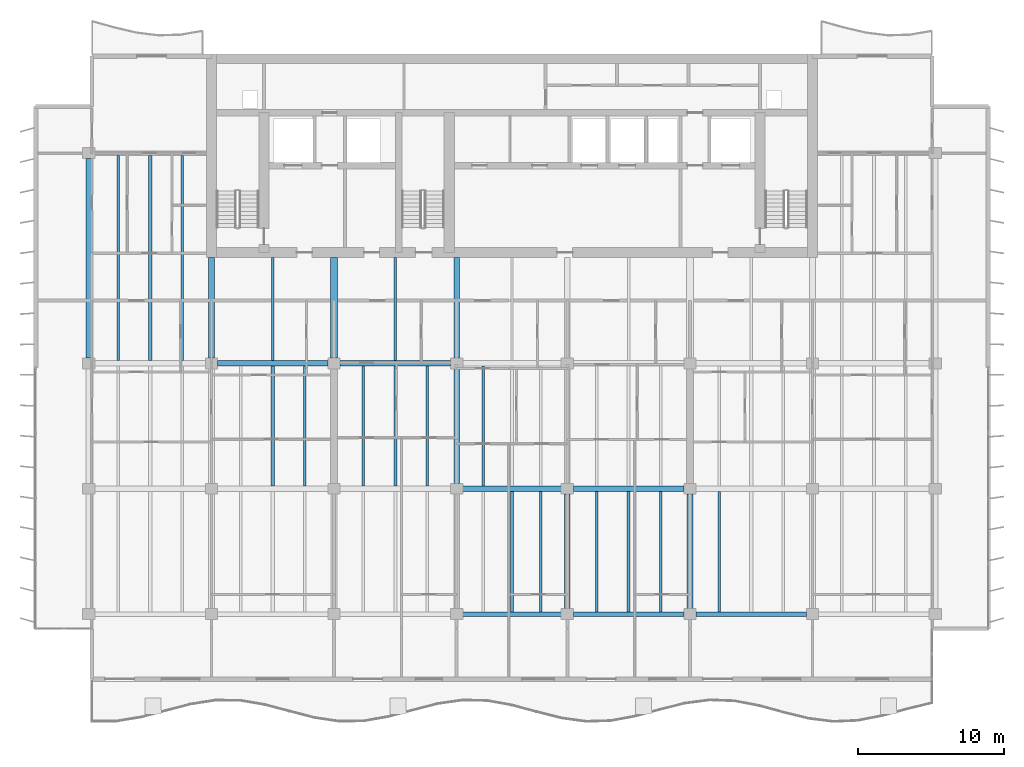
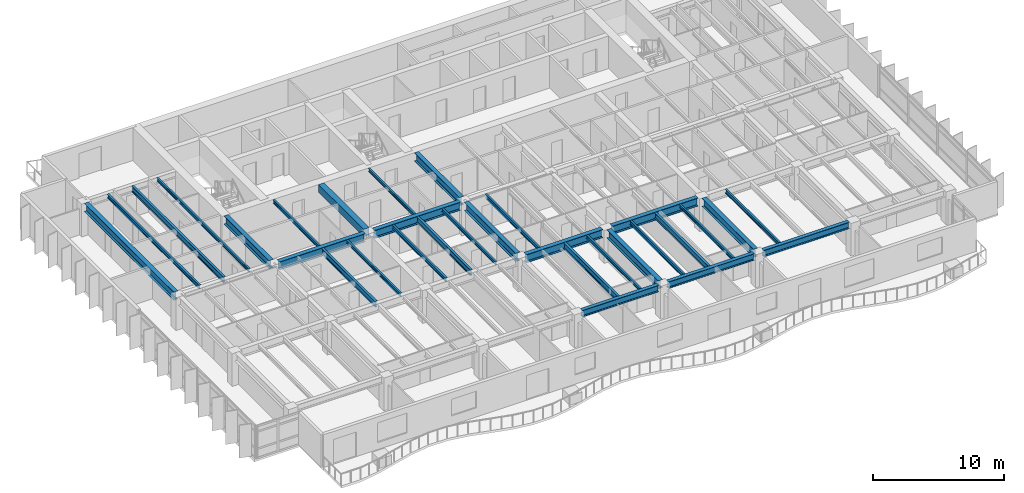
# One storey, part 3 of 19: 31 beams.
"""IFC4 building model written with IfcOpenShell, lengths in metres."""

from ifc_helpers import new_model, si_unit, direction, frame, origin, origin_2d, place, context, subcontext, project, spatial, rectangle, i_section, extrude, material, material_profile, profile_set, type_object, element, save


model = new_model("IFC4")

# Units and contexts
model_context = context("Model", 3, precision=1e-05, world=origin(), true_north=direction((0.0, 1.0)))
body_context = subcontext(model_context, "Body", "Model", "MODEL_VIEW")
ifc_project = project(units=[si_unit("LENGTHUNIT", "METRE"), si_unit("AREAUNIT", "SQUARE_METRE"), si_unit("VOLUMEUNIT", "CUBIC_METRE"), si_unit("PLANEANGLEUNIT", "RADIAN"), si_unit("MASSUNIT", "GRAM", prefix="KILO")], contexts=[model_context])

# Site, building, storey
site_placement = place(None, origin())
site = spatial("IfcSite", under=ifc_project, at=site_placement, CompositionType="ELEMENT")
building_placement = place(site_placement, origin())
building = spatial("IfcBuilding", under=site, at=building_placement, Name="Caelmar Bay Residences", CompositionType="ELEMENT")
storey_placement = place(building_placement, frame((0.0, 0.0, 163.800048828125)))
storey = spatial("IfcBuildingStorey", under=building, at=storey_placement, Name="L45", CompositionType="ELEMENT", Elevation=163.800048828125)

# Beams
ifc_material_1 = material(Name="Steel ASTM A992 Grade 50", Category="steel")
ifc_material_profile_1 = material_profile(ifc_material_1, i_section(OverallWidth=0.381103515625, OverallDepth=0.77197265625, WebThickness=0.0166015625, FlangeThickness=0.027099609375, FilletRadius=0.0166015625, at=origin_2d()), Name="W30X173")
ifc_profile_set_1 = profile_set([ifc_material_profile_1], Name="Steel ASTM A992 Grade 50")
beam_type_1 = type_object("IfcBeamType", Name="BM-GRD-W30X173", PredefinedType="BEAM", material=ifc_profile_set_1)
beam_1_placement = place(storey_placement, frame((35.514892578125, 20.800048828125, 2.6640625), z_axis=(1.0, 0.0, 0.0), x_axis=(0.0, 1.0, 0.0)))
element("IfcBeam", 1, at=beam_1_placement, inside=storey, type_object=beam_type_1, Name="L45 East-West Girder Y=20.80 (35.1-42.7)", PredefinedType="BEAM", context=body_context, shape_type="SweptSolid", body=[
    extrude(i_section(OverallWidth=0.381103515625, OverallDepth=0.77197265625, WebThickness=0.0166015625, FlangeThickness=0.027099609375, FilletRadius=0.0166015625, at=origin_2d()), origin(), (0.0, 0.0, 1.0), 6.77001953125),
])
beam_2_placement = place(storey_placement, frame((43.114990234375, 20.800048828125, 2.6640625), z_axis=(1.0, 0.0, 0.0), x_axis=(0.0, 1.0, 0.0)))
element("IfcBeam", 2, at=beam_2_placement, inside=storey, type_object=beam_type_1, Name="L45 East-West Girder Y=20.80 (42.7-51.1)", PredefinedType="BEAM", context=body_context, shape_type="SweptSolid", body=[
    extrude(i_section(OverallWidth=0.381103515625, OverallDepth=0.77197265625, WebThickness=0.0166015625, FlangeThickness=0.027099609375, FilletRadius=0.0166015625, at=origin_2d()), origin(), (0.0, 0.0, 1.0), 7.570068359375),
])
beam_3_placement = place(storey_placement, frame((18.715087890625, 29.39990234375, 2.6640625), z_axis=(1.0, 0.0, 0.0), x_axis=(0.0, 1.0, 0.0)))
element("IfcBeam", 3, at=beam_3_placement, inside=storey, type_object=beam_type_1, Name="L45 East-West Girder Y=29.40 (18.3-26.7)", PredefinedType="BEAM", context=body_context, shape_type="SweptSolid", body=[
    extrude(i_section(OverallWidth=0.381103515625, OverallDepth=0.77197265625, WebThickness=0.0166015625, FlangeThickness=0.027099609375, FilletRadius=0.0166015625, at=origin_2d()), origin(), (0.0, 0.0, 1.0), 7.56982421875),
])
beam_4_placement = place(storey_placement, frame((27.114990234375, 29.39990234375, 2.6640625), z_axis=(1.0, 0.0, 0.0), x_axis=(0.0, 1.0, 0.0)))
element("IfcBeam", 4, at=beam_4_placement, inside=storey, type_object=beam_type_1, Name="L45 East-West Girder Y=29.40 (26.7-35.1)", PredefinedType="BEAM", context=body_context, shape_type="SweptSolid", body=[
    extrude(i_section(OverallWidth=0.381103515625, OverallDepth=0.77197265625, WebThickness=0.0166015625, FlangeThickness=0.027099609375, FilletRadius=0.0166015625, at=origin_2d()), origin(), (0.0, 0.0, 1.0), 7.570068359375),
])
beam_5_placement = place(storey_placement, frame((9.89990234375, 29.764892578125, 2.6640625), z_axis=(0.0, 1.0, 0.0), x_axis=(-1.0, 0.0, 0.0)))
element("IfcBeam", 5, at=beam_5_placement, inside=storey, type_object=beam_type_1, Name="L45 North-South Girder X=9.90 (29.4-43.8)", PredefinedType="BEAM", context=body_context, shape_type="SweptSolid", body=[
    extrude(i_section(OverallWidth=0.381103515625, OverallDepth=0.77197265625, WebThickness=0.0166015625, FlangeThickness=0.027099609375, FilletRadius=0.0166015625, at=origin_2d()), origin(), (0.0, 0.0, 1.0), 13.670166015625),
])
for number, where, z_axis, x_axis, name in (
    (6, (18.300048828125, 29.764892578125, 2.6640625), (0.0, 1.0, 0.0), (-1.0, 0.0, 0.0), "L45 Core Tie Girder X=18.30"),
    (7, (35.10009765625, 29.764892578125, 2.6640625), (0.0, 1.0, 0.0), (-1.0, 0.0, 0.0), "L45 Core Tie Girder X=35.10"),
):
    element("IfcBeam", number, at=place(storey_placement, frame(where, z_axis=z_axis, x_axis=x_axis)), inside=storey, type_object=beam_type_1, Name=name, PredefinedType="BEAM", context=body_context, shape_type="SweptSolid", body=[
        extrude(i_section(OverallWidth=0.381103515625, OverallDepth=0.77197265625, WebThickness=0.0166015625, FlangeThickness=0.027099609375, FilletRadius=0.0166015625, at=origin_2d()), origin(), (0.0, 0.0, 1.0), 6.885009765625),
    ])
beam_6_placement = place(storey_placement, frame((35.10009765625, 21.1650390625, 2.6640625), z_axis=(0.0, 1.0, 0.0), x_axis=(-1.0, 0.0, 0.0)))
element("IfcBeam", 8, at=beam_6_placement, inside=storey, type_object=beam_type_1, Name="L45 North-South Girder X=35.10 (20.8-29.4)", PredefinedType="BEAM", context=body_context, shape_type="SweptSolid", body=[
    extrude(i_section(OverallWidth=0.381103515625, OverallDepth=0.77197265625, WebThickness=0.0166015625, FlangeThickness=0.027099609375, FilletRadius=0.0166015625, at=origin_2d()), origin(), (0.0, 0.0, 1.0), 7.869873046875),
])
for number, where, z_axis, x_axis, name in (
    (9, (42.699951171875, 12.56494140625, 2.6640625), (0.0, 1.0, 0.0), (-1.0, 0.0, 0.0), "L45 North-South Girder X=42.70 (12.2-20.8)"),
    (10, (51.10009765625, 12.56494140625, 2.6640625), (0.0, 1.0, 0.0), (-1.0, 0.0, 0.0), "L45 North-South Girder X=51.10 (12.2-20.8)"),
):
    element("IfcBeam", number, at=place(storey_placement, frame(where, z_axis=z_axis, x_axis=x_axis)), inside=storey, type_object=beam_type_1, Name=name, PredefinedType="BEAM", context=body_context, shape_type="SweptSolid", body=[
        extrude(i_section(OverallWidth=0.381103515625, OverallDepth=0.77197265625, WebThickness=0.0166015625, FlangeThickness=0.027099609375, FilletRadius=0.0166015625, at=origin_2d()), origin(), (0.0, 0.0, 1.0), 7.8701171875),
    ])
ifc_material_profile_2 = material_profile(ifc_material_1, i_section(OverallWidth=0.1650390625, OverallDepth=0.31005859375, WebThickness=0.005859375, FlangeThickness=0.009765625, FilletRadius=0.007568359375, at=origin_2d()), Name="W12X26")
ifc_profile_set_2 = profile_set([ifc_material_profile_2], Name="Steel ASTM A992 Grade 50")
beam_type_2 = type_object("IfcBeamType", Name="BM-JST-W12X26", PredefinedType="JOIST", material=ifc_profile_set_2)
for number, where, z_axis, x_axis, name in (
    (11, (40.8759765625, 12.362548828125, 2.89501953125), (0.0, 1.0, 0.0), (-1.0, 0.0, 0.0), "L45 Composite Floor Joist 12"),
    (12, (49.083984375, 12.362548828125, 2.89501953125), (0.0, 1.0, 0.0), (-1.0, 0.0, 0.0), "L45 Composite Floor Joist 15"),
):
    element("IfcBeam", number, at=place(storey_placement, frame(where, z_axis=z_axis, x_axis=x_axis)), inside=storey, type_object=beam_type_2, Name=name, PredefinedType="JOIST", context=body_context, shape_type="SweptSolid", body=[
        extrude(i_section(OverallWidth=0.1650390625, OverallDepth=0.31005859375, WebThickness=0.005859375, FlangeThickness=0.009765625, FilletRadius=0.007568359375, at=origin_2d()), origin(), (0.0, 0.0, 1.0), 8.2470703125),
    ])
for number, where, z_axis, x_axis, name in (
    (13, (24.68408203125, 20.990478515625, 2.89501953125), (0.0, 1.0, 0.0), (-1.0, 0.0, 0.0), "L45 Composite Floor Joist 27"),
    (14, (33.083984375, 20.990478515625, 2.89501953125), (0.0, 1.0, 0.0), (-1.0, 0.0, 0.0), "L45 Composite Floor Joist 30"),
):
    element("IfcBeam", number, at=place(storey_placement, frame(where, z_axis=z_axis, x_axis=x_axis)), inside=storey, type_object=beam_type_2, Name=name, PredefinedType="JOIST", context=body_context, shape_type="SweptSolid", body=[
        extrude(i_section(OverallWidth=0.1650390625, OverallDepth=0.31005859375, WebThickness=0.005859375, FlangeThickness=0.009765625, FilletRadius=0.007568359375, at=origin_2d()), origin(), (0.0, 0.0, 1.0), 8.218994140625),
    ])
for number, where, z_axis, x_axis, name in (
    (15, (22.5, 29.590576171875, 2.89501953125), (0.0, 1.0, 0.0), (-1.0, 0.0, 0.0), "L45 Core-Band Composite Joist 43"),
    (16, (30.89990234375, 29.590576171875, 2.89501953125), (0.0, 1.0, 0.0), (-1.0, 0.0, 0.0), "L45 Core-Band Composite Joist 44"),
):
    element("IfcBeam", number, at=place(storey_placement, frame(where, z_axis=z_axis, x_axis=x_axis)), inside=storey, type_object=beam_type_2, Name=name, PredefinedType="JOIST", context=body_context, shape_type="SweptSolid", body=[
        extrude(i_section(OverallWidth=0.1650390625, OverallDepth=0.31005859375, WebThickness=0.005859375, FlangeThickness=0.009765625, FilletRadius=0.007568359375, at=origin_2d()), origin(), (0.0, 0.0, 1.0), 7.059326171875),
    ])
beam_7_placement = place(storey_placement, frame((16.283935546875, 29.590576171875, 2.89501953125), z_axis=(0.0, 1.0, 0.0), x_axis=(-1.0, 0.0, 0.0)))
element("IfcBeam", 17, at=beam_7_placement, inside=storey, type_object=beam_type_2, Name="L45 Composite Floor Joist 50", PredefinedType="JOIST", context=body_context, shape_type="SweptSolid", body=[
    extrude(i_section(OverallWidth=0.1650390625, OverallDepth=0.31005859375, WebThickness=0.005859375, FlangeThickness=0.009765625, FilletRadius=0.007568359375, at=origin_2d()), origin(), (0.0, 0.0, 1.0), 14.046875),
])
ifc_material_profile_3 = material_profile(ifc_material_1, i_section(OverallWidth=0.1708984375, OverallDepth=0.35595703125, WebThickness=0.007080078125, FlangeThickness=0.01171875, FilletRadius=0.007568359375, at=origin_2d()), Name="W14X34")
ifc_profile_set_3 = profile_set([ifc_material_profile_3], Name="Steel ASTM A992 Grade 50")
beam_type_3 = type_object("IfcBeamType", Name="BM-JST-W14X34", PredefinedType="JOIST", material=ifc_profile_set_3)
for number, where, z_axis, x_axis, name in (
    (18, (44.716064453125, 12.362548828125, 2.8720703125), (0.0, 1.0, 0.0), (-1.0, 0.0, 0.0), "L45 Composite Floor Joist 13"),
    (19, (53.115966796875, 12.362548828125, 2.8720703125), (0.0, 1.0, 0.0), (-1.0, 0.0, 0.0), "L45 Composite Floor Joist 16"),
):
    element("IfcBeam", number, at=place(storey_placement, frame(where, z_axis=z_axis, x_axis=x_axis)), inside=storey, type_object=beam_type_3, Name=name, PredefinedType="JOIST", context=body_context, shape_type="SweptSolid", body=[
        extrude(i_section(OverallWidth=0.1708984375, OverallDepth=0.35595703125, WebThickness=0.007080078125, FlangeThickness=0.01171875, FilletRadius=0.007568359375, at=origin_2d()), origin(), (0.0, 0.0, 1.0), 8.2470703125),
    ])
for number, where, z_axis, x_axis, name in (
    (20, (28.716064453125, 20.990478515625, 2.8720703125), (0.0, 1.0, 0.0), (-1.0, 0.0, 0.0), "L45 Composite Floor Joist 28"),
    (21, (36.924072265625, 20.990478515625, 2.8720703125), (0.0, 1.0, 0.0), (-1.0, 0.0, 0.0), "L45 Composite Floor Joist 31"),
):
    element("IfcBeam", number, at=place(storey_placement, frame(where, z_axis=z_axis, x_axis=x_axis)), inside=storey, type_object=beam_type_3, Name=name, PredefinedType="JOIST", context=body_context, shape_type="SweptSolid", body=[
        extrude(i_section(OverallWidth=0.1708984375, OverallDepth=0.35595703125, WebThickness=0.007080078125, FlangeThickness=0.01171875, FilletRadius=0.007568359375, at=origin_2d()), origin(), (0.0, 0.0, 1.0), 8.218994140625),
    ])
beam_8_placement = place(storey_placement, frame((11.916015625, 29.590576171875, 2.8720703125), z_axis=(0.0, 1.0, 0.0), x_axis=(-1.0, 0.0, 0.0)))
element("IfcBeam", 22, at=beam_8_placement, inside=storey, type_object=beam_type_3, Name="L45 Composite Floor Joist 48", PredefinedType="JOIST", context=body_context, shape_type="SweptSolid", body=[
    extrude(i_section(OverallWidth=0.1708984375, OverallDepth=0.35595703125, WebThickness=0.007080078125, FlangeThickness=0.01171875, FilletRadius=0.007568359375, at=origin_2d()), origin(), (0.0, 0.0, 1.0), 14.046875),
])
ifc_material_profile_4 = material_profile(ifc_material_1, i_section(OverallWidth=0.2099609375, OverallDepth=0.535888671875, WebThickness=0.010986328125, FlangeThickness=0.017333984375, FilletRadius=0.0126953125, at=origin_2d()), Name="W21X68")
ifc_profile_set_4 = profile_set([ifc_material_profile_4], Name="Steel ASTM A992 Grade 50")
beam_type_4 = type_object("IfcBeamType", Name="BM-JST-W21X68", PredefinedType="JOIST", material=ifc_profile_set_4)
for number, where, z_axis, x_axis, name in (
    (23, (38.89990234375, 12.362548828125, 2.781982421875), (0.0, 1.0, 0.0), (-1.0, 0.0, 0.0), "L45 Composite Floor Joist 11"),
    (24, (46.89990234375, 12.362548828125, 2.781982421875), (0.0, 1.0, 0.0), (-1.0, 0.0, 0.0), "L45 Composite Floor Joist 14"),
):
    element("IfcBeam", number, at=place(storey_placement, frame(where, z_axis=z_axis, x_axis=x_axis)), inside=storey, type_object=beam_type_4, Name=name, PredefinedType="JOIST", context=body_context, shape_type="SweptSolid", body=[
        extrude(i_section(OverallWidth=0.2099609375, OverallDepth=0.535888671875, WebThickness=0.010986328125, FlangeThickness=0.017333984375, FilletRadius=0.0126953125, at=origin_2d()), origin(), (0.0, 0.0, 1.0), 8.2470703125),
    ])
for number, where, z_axis, x_axis, name in (
    (25, (22.5, 20.990478515625, 2.781982421875), (0.0, 1.0, 0.0), (-1.0, 0.0, 0.0), "L45 Composite Floor Joist 26"),
    (26, (30.89990234375, 20.990478515625, 2.781982421875), (0.0, 1.0, 0.0), (-1.0, 0.0, 0.0), "L45 Composite Floor Joist 29"),
):
    element("IfcBeam", number, at=place(storey_placement, frame(where, z_axis=z_axis, x_axis=x_axis)), inside=storey, type_object=beam_type_4, Name=name, PredefinedType="JOIST", context=body_context, shape_type="SweptSolid", body=[
        extrude(i_section(OverallWidth=0.2099609375, OverallDepth=0.535888671875, WebThickness=0.010986328125, FlangeThickness=0.017333984375, FilletRadius=0.0126953125, at=origin_2d()), origin(), (0.0, 0.0, 1.0), 8.218994140625),
    ])
beam_9_placement = place(storey_placement, frame((14.10009765625, 29.590576171875, 2.781982421875), z_axis=(0.0, 1.0, 0.0), x_axis=(-1.0, 0.0, 0.0)))
element("IfcBeam", 27, at=beam_9_placement, inside=storey, type_object=beam_type_4, Name="L45 Composite Floor Joist 49", PredefinedType="JOIST", context=body_context, shape_type="SweptSolid", body=[
    extrude(i_section(OverallWidth=0.2099609375, OverallDepth=0.535888671875, WebThickness=0.010986328125, FlangeThickness=0.017333984375, FilletRadius=0.0126953125, at=origin_2d()), origin(), (0.0, 0.0, 1.0), 14.046875),
])
ifc_material_2 = material(Name="Concrete f'c 55 MPa (8,000 psi)", Category="concrete")
ifc_material_profile_5 = material_profile(ifc_material_2, rectangle(XDim=0.5, YDim=0.699951171875, at=origin_2d()), Name="RC-BM-500X700")
ifc_profile_set_5 = profile_set([ifc_material_profile_5], Name="Concrete f'c 55 MPa (8,000 psi)")
beam_type_5 = type_object("IfcBeamType", Name="BM-RC-500X700", PredefinedType="LINTEL", material=ifc_profile_set_5)
beam_10_placement = place(storey_placement, frame((26.699951171875, 29.764892578125, 2.699951171875), z_axis=(0.0, 1.0, 0.0), x_axis=(-1.0, 0.0, 0.0)))
element("IfcBeam", 28, at=beam_10_placement, inside=storey, type_object=beam_type_5, Name="L45 Shear-Wall Corridor Coupling Lintel W5", PredefinedType="LINTEL", context=body_context, shape_type="SweptSolid", body=[
    extrude(rectangle(XDim=0.5, YDim=0.699951171875, at=origin_2d()), origin(), (0.0, 0.0, 1.0), 6.885009765625),
])
ifc_material_profile_6 = material_profile(ifc_material_1, i_section(OverallWidth=0.324951171875, OverallDepth=0.616943359375, WebThickness=0.013916015625, FlangeThickness=0.021484375, FilletRadius=0.0126953125, at=origin_2d()), Name="W24X117")
ifc_profile_set_6 = profile_set([ifc_material_profile_6], Name="Steel ASTM A992 Grade 50")
beam_type_6 = type_object("IfcBeamType", Name="BM-SPN-W24X117", PredefinedType="SPANDREL", material=ifc_profile_set_6)
beam_11_placement = place(storey_placement, frame((35.514892578125, 12.199951171875, 2.741455078125), z_axis=(1.0, 0.0, 0.0), x_axis=(0.0, 1.0, 0.0)))
element("IfcBeam", 29, at=beam_11_placement, inside=storey, type_object=beam_type_6, Name="L45 East-West Girder Y=12.20 (35.1-42.7)", PredefinedType="SPANDREL", context=body_context, shape_type="SweptSolid", body=[
    extrude(i_section(OverallWidth=0.324951171875, OverallDepth=0.616943359375, WebThickness=0.013916015625, FlangeThickness=0.021484375, FilletRadius=0.0126953125, at=origin_2d()), origin(), (0.0, 0.0, 1.0), 6.77001953125),
])
for number, where, z_axis, x_axis, name in (
    (30, (43.114990234375, 12.199951171875, 2.741455078125), (1.0, 0.0, 0.0), (0.0, 1.0, 0.0), "L45 East-West Girder Y=12.20 (42.7-51.1)"),
    (31, (51.514892578125, 12.199951171875, 2.741455078125), (1.0, 0.0, 0.0), (0.0, 1.0, 0.0), "L45 East-West Girder Y=12.20 (51.1-59.5)"),
):
    element("IfcBeam", number, at=place(storey_placement, frame(where, z_axis=z_axis, x_axis=x_axis)), inside=storey, type_object=beam_type_6, Name=name, PredefinedType="SPANDREL", context=body_context, shape_type="SweptSolid", body=[
        extrude(i_section(OverallWidth=0.324951171875, OverallDepth=0.616943359375, WebThickness=0.013916015625, FlangeThickness=0.021484375, FilletRadius=0.0126953125, at=origin_2d()), origin(), (0.0, 0.0, 1.0), 7.570068359375),
    ])

save(model, "model.ifc")
